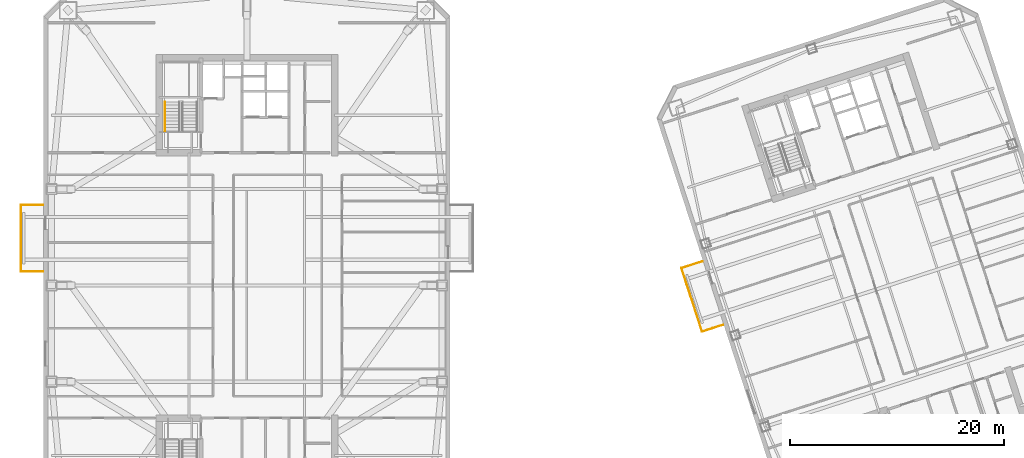
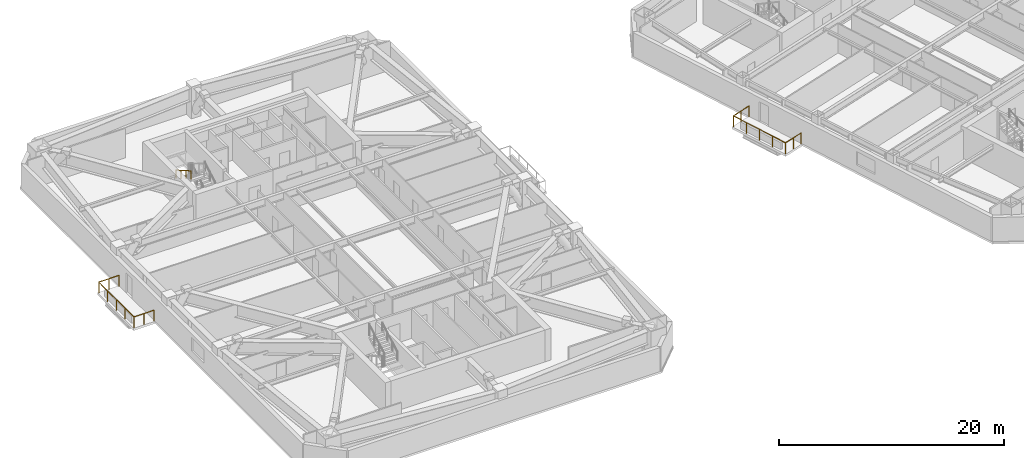
# One storey, part 14 of 17: 3 railings.
"""IFC4 building model written with IfcOpenShell, lengths in metres."""

from ifc_helpers import new_model, si_unit, direction, frame, origin, origin_2d, place, context, subcontext, project, spatial, circle, extrude, material, type_object, element, save


model = new_model("IFC4")

# Units and contexts
model_context = context("Model", 3, precision=1e-05, world=origin(), true_north=direction((0.0, 1.0)))
body_context = subcontext(model_context, "Body", "Model", "MODEL_VIEW")
ifc_project = project(units=[si_unit("LENGTHUNIT", "METRE"), si_unit("AREAUNIT", "SQUARE_METRE"), si_unit("VOLUMEUNIT", "CUBIC_METRE"), si_unit("PLANEANGLEUNIT", "RADIAN"), si_unit("MASSUNIT", "GRAM", prefix="KILO")], contexts=[model_context])

# Site, building, storey
site_placement = place(None, origin())
site = spatial("IfcSite", under=ifc_project, at=site_placement, CompositionType="ELEMENT")
building_placement = place(site_placement, origin())
building = spatial("IfcBuilding", under=site, at=building_placement, Name="Qiaolan Cultural Towers", CompositionType="ELEMENT")
storey_placement = place(building_placement, frame((0.0, 0.0, 156.39990234375)))
storey = spatial("IfcBuildingStorey", under=building, at=storey_placement, Name="L41", CompositionType="ELEMENT", Elevation=156.39990234375)

# Railings
ifc_material_1 = material(Name="Laminated SentryGlas & Stainless Steel S31608 Balustrade", Category="steel")
railing_type_1 = type_object("IfcRailingType", Name="GRD-TERR-1200", PredefinedType="BALUSTRADE", material=ifc_material_1)
railing_1_placement = place(storey_placement, frame((10.949951171875, 35.280029296875, 0.0)))
element("IfcRailing", 1, at=railing_1_placement, inside=storey, type_object=railing_type_1, Name="L41 T1 Tree Balcony Guardrail W", PredefinedType="BALUSTRADE", context=body_context, shape_type="SweptSolid", body=[
    extrude(circle(Radius=0.02392578125, at=origin_2d()), frame((0.0, 0.0, 1.17578125), z_axis=(-1.0, 0.0, 0.0), x_axis=(0.0, -1.0, 0.0)), (0.0, 0.0, 1.0), 2.070068359375),
    extrude(circle(Radius=0.02392578125, at=origin_2d()), frame((-2.070068359375, 0.0, 1.17578125), z_axis=(0.0, 1.0, 0.0), x_axis=(-1.0, 0.0, 0.0)), (0.0, 0.0, 1.0), 6.239990234375),
    extrude(circle(Radius=0.02392578125, at=origin_2d()), frame((-2.070068359375, 6.239990234375, 1.17578125), z_axis=(1.0, 0.0, 0.0), x_axis=(0.0, 1.0, 0.0)), (0.0, 0.0, 1.0), 2.070068359375),
    extrude(circle(Radius=0.02099609375, at=origin_2d()), origin(), (0.0, 0.0, 1.0), 1.15185546875),
    extrude(circle(Radius=0.02099609375, at=origin_2d()), frame((-1.03515625, 0.0, 0.0)), (0.0, 0.0, 1.0), 1.15185546875),
    extrude(circle(Radius=0.02099609375, at=origin_2d()), frame((-2.070068359375, 0.0, 0.0)), (0.0, 0.0, 1.0), 1.15185546875),
    extrude(circle(Radius=0.02099609375, at=origin_2d()), frame((-2.070068359375, 1.56005859375, 0.0)), (0.0, 0.0, 1.0), 1.15185546875),
    extrude(circle(Radius=0.02099609375, at=origin_2d()), frame((-2.070068359375, 3.1201171875, 0.0)), (0.0, 0.0, 1.0), 1.15185546875),
    extrude(circle(Radius=0.02099609375, at=origin_2d()), frame((-2.070068359375, 4.679931640625, 0.0)), (0.0, 0.0, 1.0), 1.15185546875),
    extrude(circle(Radius=0.02099609375, at=origin_2d()), frame((-2.070068359375, 6.239990234375, 0.0)), (0.0, 0.0, 1.0), 1.15185546875),
    extrude(circle(Radius=0.02099609375, at=origin_2d()), frame((-1.03515625, 6.239990234375, 0.0)), (0.0, 0.0, 1.0), 1.15185546875),
    extrude(circle(Radius=0.02099609375, at=origin_2d()), frame((0.0, 6.239990234375, 0.0)), (0.0, 0.0, 1.0), 1.15185546875),
])
railing_2_placement = place(storey_placement, frame((74.5302734375, 30.3193359375, 0.0)))
element("IfcRailing", 2, at=railing_2_placement, inside=storey, type_object=railing_type_1, Name="L41 T2 Tree Balcony Guardrail W", PredefinedType="BALUSTRADE", context=body_context, shape_type="SweptSolid", body=[
    extrude(circle(Radius=0.02392578125, at=origin_2d()), frame((0.0, 0.0, 1.17578125), z_axis=(-0.951061799618, -0.309000733507, 0.0), x_axis=(0.309000733507, -0.951061799618, 0.0)), (0.0, 0.0, 1.0), 2.070068359375),
    extrude(circle(Radius=0.02392578125, at=origin_2d()), frame((-1.96875, -0.6396484375, 1.17578125), z_axis=(-0.30901175762, 0.951058217804, 0.0), x_axis=(-0.951058217804, -0.30901175762, 0.0)), (0.0, 0.0, 1.0), 6.239990234375),
    extrude(circle(Radius=0.02392578125, at=origin_2d()), frame((-3.89697265625, 5.294921875, 1.17578125), z_axis=(0.951061799618, 0.309000733507, 0.0), x_axis=(-0.309000733507, 0.951061799618, 0.0)), (0.0, 0.0, 1.0), 2.070068359375),
    extrude(circle(Radius=0.02099609375, at=origin_2d()), origin(), (0.0, 0.0, 1.0), 1.15185546875),
    extrude(circle(Radius=0.02099609375, at=origin_2d()), frame((-0.984375, -0.31982421875, 0.0)), (0.0, 0.0, 1.0), 1.15185546875),
    extrude(circle(Radius=0.02099609375, at=origin_2d()), frame((-1.96875, -0.6396484375, 0.0)), (0.0, 0.0, 1.0), 1.15185546875),
    extrude(circle(Radius=0.02099609375, at=origin_2d()), frame((-2.45068359375, 0.843994140625, 0.0)), (0.0, 0.0, 1.0), 1.15185546875),
    extrude(circle(Radius=0.02099609375, at=origin_2d()), frame((-2.932861328125, 2.32763671875, 0.0)), (0.0, 0.0, 1.0), 1.15185546875),
    extrude(circle(Radius=0.02099609375, at=origin_2d()), frame((-3.4150390625, 3.811279296875, 0.0)), (0.0, 0.0, 1.0), 1.15185546875),
    extrude(circle(Radius=0.02099609375, at=origin_2d()), frame((-3.89697265625, 5.294921875, 0.0)), (0.0, 0.0, 1.0), 1.15185546875),
    extrude(circle(Radius=0.02099609375, at=origin_2d()), frame((-2.91259765625, 5.61474609375, 0.0)), (0.0, 0.0, 1.0), 1.15185546875),
    extrude(circle(Radius=0.02099609375, at=origin_2d()), frame((-1.92822265625, 5.9345703125, 0.0)), (0.0, 0.0, 1.0), 1.15185546875),
])
ifc_material_2 = material(Name="Stainless Steel S30408 Tubular Handrail", Category="steel")
railing_type_2 = type_object("IfcRailingType", Name="RL-STAIR-HR", PredefinedType="HANDRAIL", material=ifc_material_2)
railing_3_placement = place(storey_placement, frame((22.35009765625, 51.14990234375, 1.897705078125)))
element("IfcRailing", 3, at=railing_3_placement, inside=storey, type_object=railing_type_2, Name="L41 ST-W2 stair handrail 2", PredefinedType="HANDRAIL", context=body_context, shape_type="SweptSolid", body=[
    extrude(circle(Radius=0.02392578125, at=origin_2d()), frame((0.0, 0.0, 0.8759765625), z_axis=(0.0, -0.866903762492, 0.498475542607), x_axis=(1.0, 0.0, 0.0)), (0.0, 0.0, 1.0), 3.114501953125),
    extrude(circle(Radius=0.02099609375, at=origin_2d()), origin(), (0.0, 0.0, 1.0), 0.851806640625),
    extrude(circle(Radius=0.02099609375, at=origin_2d()), frame((0.0, -0.89990234375, 0.517578125)), (0.0, 0.0, 1.0), 0.851806640625),
    extrude(circle(Radius=0.02099609375, at=origin_2d()), frame((0.0, -1.800048828125, 1.034912109375)), (0.0, 0.0, 1.0), 0.851806640625),
    extrude(circle(Radius=0.02099609375, at=origin_2d()), frame((0.0, -2.699951171875, 1.552490234375)), (0.0, 0.0, 1.0), 0.851806640625),
])

save(model, "model.ifc")
